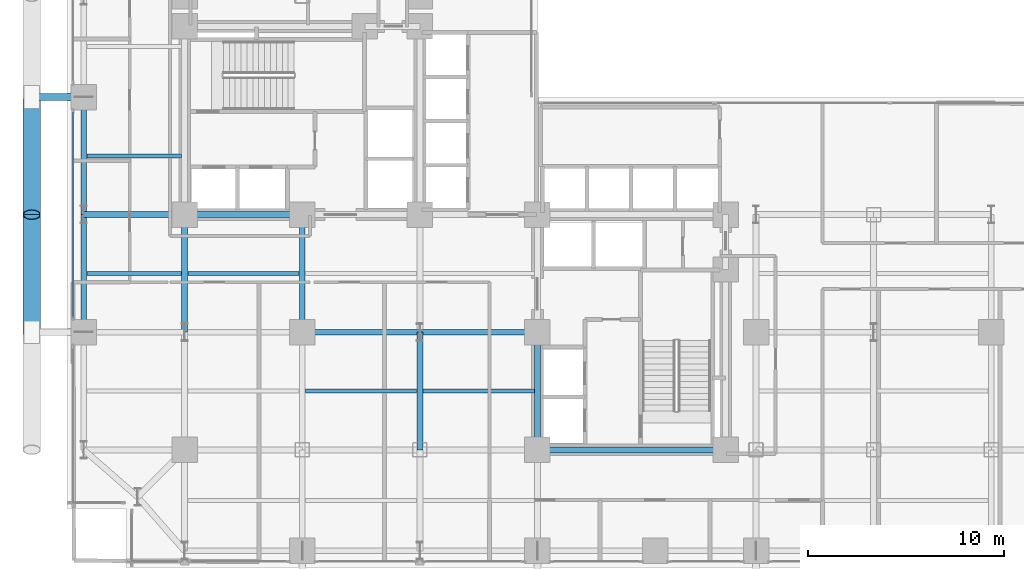
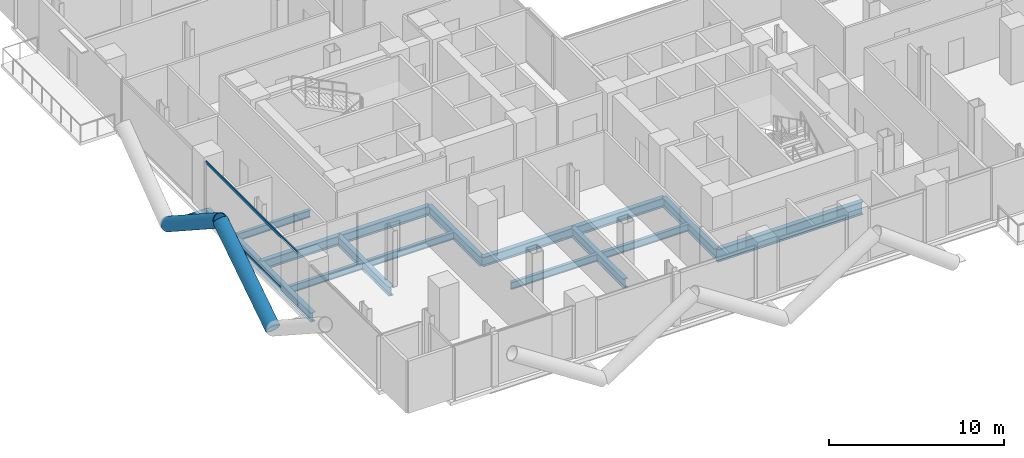
# One storey, part 4 of 27: 16 beams, 5 members, 1 element without a shape of its own.
"""IFC4 building model written with IfcOpenShell, lengths in metres."""

from ifc_helpers import new_model, si_unit, direction, frame, origin, origin_2d, place, context, subcontext, project, spatial, hollow_rectangle, hollow_circle, i_section, extrude, material, layer, layer_set, material_profile, profile_set, type_object, element, aggregate, save


model = new_model("IFC4")

# Units and contexts
model_context = context("Model", 3, precision=1e-05, world=origin(), true_north=direction((0.0, 1.0)))
body_context = subcontext(model_context, "Body", "Model", "MODEL_VIEW")
ifc_project = project(units=[si_unit("LENGTHUNIT", "METRE"), si_unit("AREAUNIT", "SQUARE_METRE"), si_unit("VOLUMEUNIT", "CUBIC_METRE"), si_unit("PLANEANGLEUNIT", "RADIAN"), si_unit("MASSUNIT", "GRAM", prefix="KILO"), si_unit("THERMODYNAMICTEMPERATUREUNIT", "KELVIN"), si_unit("POWERUNIT", "WATT")], contexts=[model_context])

# Site, building, storey
site_placement = place(None, origin())
site = spatial("IfcSite", under=ifc_project, at=site_placement, CompositionType="ELEMENT")
building_placement = place(site_placement, origin())
building = spatial("IfcBuilding", under=site, at=building_placement, Name="Svarakhadi Broadcast Tower", CompositionType="ELEMENT")
storey_placement = place(building_placement, frame((0.0, 0.0, 75.300048828125)))
storey = spatial("IfcBuildingStorey", under=building, at=storey_placement, Name="L17", CompositionType="ELEMENT", Elevation=75.300048828125)

# Beams
ifc_material_1 = material(Name="Steel S355J2 (IS 2062 E350C)", Category="steel")
ifc_material_profile_1 = material_profile(ifc_material_1, i_section(OverallWidth=0.199951171875, OverallDepth=0.5, WebThickness=0.01025390625, FlangeThickness=0.01611328125, FilletRadius=0.02099609375, at=origin_2d()), Name="NPB 500x200x91")
ifc_profile_set_1 = profile_set([ifc_material_profile_1], Name="Steel S355J2 (IS 2062 E350C)")
beam_type_1 = type_object("IfcBeamType", Name="Beam_NPB500", PredefinedType="BEAM", material=ifc_profile_set_1)
for number, where, z_axis, x_axis, name in (
    (1, (1.010009765625, 15.0, -0.5), (1.0, 0.0, 0.0), (0.0, 1.0, 0.0), "L17 Secondary Composite Beam SB002"),
    (2, (1.010009765625, 21.0, -0.5), (1.0, 0.0, 0.0), (0.0, 1.0, 0.0), "L17 Secondary Composite Beam SB003"),
):
    element("IfcBeam", number, at=place(storey_placement, frame(where, z_axis=z_axis, x_axis=x_axis)), inside=storey, type_object=beam_type_1, Name=name, PredefinedType="BEAM", context=body_context, shape_type="SweptSolid", body=[
        extrude(i_section(OverallWidth=0.199951171875, OverallDepth=0.5, WebThickness=0.01025390625, FlangeThickness=0.01611328125, FilletRadius=0.02099609375, at=origin_2d()), origin(), (0.0, 0.0, 1.0), 4.830078125),
    ])
for number, where, z_axis, x_axis, name in (
    (3, (6.159912109375, 15.0, -0.5), (1.0, 0.0, 0.0), (0.0, 1.0, 0.0), "L17 Secondary Composite Beam SB009"),
    (4, (12.159912109375, 9.0, -0.5), (1.0, 0.0, 0.0), (0.0, 1.0, 0.0), "L17 Secondary Composite Beam SB014"),
    (5, (18.159912109375, 9.0, -0.5), (1.0, 0.0, 0.0), (0.0, 1.0, 0.0), "L17 Secondary Composite Beam SB020"),
):
    element("IfcBeam", number, at=place(storey_placement, frame(where, z_axis=z_axis, x_axis=x_axis)), inside=storey, type_object=beam_type_1, Name=name, PredefinedType="BEAM", context=body_context, shape_type="SweptSolid", body=[
        extrude(i_section(OverallWidth=0.199951171875, OverallDepth=0.5, WebThickness=0.01025390625, FlangeThickness=0.01611328125, FilletRadius=0.02099609375, at=origin_2d()), origin(), (0.0, 0.0, 1.0), 5.68017578125),
    ])

# Curtain wall, members
ifc_material_2 = material(Name="Anodised Bronze Aluminium AA 6063-T6", Category="aluminium")
ifc_layer = layer(ifc_material_2, 0.219970703125)
ifc_layer_set = layer_set([ifc_layer], Name="Anodised Bronze Aluminium AA 6063-T6")
curtain_wall_type = type_object("IfcCurtainWallType", Name="CW_Sys_02", PredefinedType="NOTDEFINED", material=ifc_layer_set)
curtain_wall_placement = place(storey_placement, origin())
curtain_wall = element("IfcCurtainWall", 6, at=curtain_wall_placement, inside=storey, type_object=curtain_wall_type, Name="L17 West Curtain Wall 02 Bay 2", PredefinedType="NOTDEFINED")
ifc_material_profile_2 = material_profile(ifc_material_2, hollow_rectangle(XDim=0.074951171875, YDim=0.199951171875, WallThickness=0.0048828125, at=origin_2d()), Name="ALU TRANSOM 200x75x5")
ifc_profile_set_2 = profile_set([ifc_material_profile_2], Name="Anodised Bronze Aluminium AA 6063-T6")
member_type_1 = type_object("IfcMemberType", Name="CW_Sys_02_Trn", PredefinedType="USERDEFINED", material=ifc_profile_set_2)
member_1_placement = place(storey_placement, frame((0.300048828125, 12.7548828125, 0.037353515625), z_axis=(0.0, 1.0, 0.0), x_axis=(-1.0, 0.0, 0.0)))
member_1 = element("IfcMember", 7, at=member_1_placement, type_object=member_type_1, Name="CW-02 transom 1.1", ObjectType="TRANSOM", PredefinedType="USERDEFINED", context=body_context, shape_type="SweptSolid", body=[
    extrude(hollow_rectangle(XDim=0.074951171875, YDim=0.199951171875, WallThickness=0.0048828125, at=origin_2d()), origin(), (0.0, 0.0, 1.0), 10.490234375),
])
member_2_placement = place(storey_placement, frame((0.300048828125, 12.7548828125, 3.612548828125), z_axis=(0.0, 1.0, 0.0), x_axis=(-1.0, 0.0, 0.0)))
member_2 = element("IfcMember", 8, at=member_2_placement, type_object=member_type_1, Name="CW-02 transom 1.2", ObjectType="TRANSOM", PredefinedType="USERDEFINED", context=body_context, shape_type="SweptSolid", body=[
    extrude(hollow_rectangle(XDim=0.074951171875, YDim=0.199951171875, WallThickness=0.0048828125, at=origin_2d()), origin(), (0.0, 0.0, 1.0), 10.490234375),
])
aggregate(curtain_wall, [member_1, member_2])

# Members
ifc_material_3 = material(Name="Steel S460ML (IS 2062 E450BR)", Category="steel")
ifc_material_profile_3 = material_profile(ifc_material_3, hollow_circle(Radius=0.45703125, WallThickness=0.044921875, at=origin_2d()), Name="CHS 914x45")
ifc_profile_set_3 = profile_set([ifc_material_profile_3], Name="Steel S460ML (IS 2062 E450BR)")
member_type_2 = type_object("IfcMemberType", Name="Exo_Brace_CHS914", PredefinedType="BRACE", material=ifc_profile_set_3)
for number, where, z_axis, x_axis, name in (
    (9, (-1.800048828125, 12.0, -0.427734375), (0.0, 0.838449851971, 0.544978757136), (-1.0, 0.0, 0.0), "L17 Exposed Bronze Exoskeleton Diagonal W07"),
    (10, (-1.800048828125, 24.0, -0.427734375), (0.0, -0.838449851971, 0.544978757136), (1.0, 0.0, 0.0), "L17 Exposed Bronze Exoskeleton Diagonal W08"),
):
    element("IfcMember", number, at=place(storey_placement, frame(where, z_axis=z_axis, x_axis=x_axis)), inside=storey, type_object=member_type_2, Name=name, PredefinedType="BRACE", context=body_context, shape_type="SweptSolid", body=[
        extrude(hollow_circle(Radius=0.45703125, WallThickness=0.044921875, at=origin_2d()), origin(), (0.0, 0.0, 1.0), 7.156005859375),
    ])
ifc_material_profile_4 = material_profile(ifc_material_3, hollow_circle(Radius=0.177734375, WallThickness=0.02001953125, at=origin_2d()), Name="CHS 355.6x20")
ifc_profile_set_4 = profile_set([ifc_material_profile_4], Name="Steel S460ML (IS 2062 E450BR)")
member_type_3 = type_object("IfcMemberType", Name="Exo_Radial_Strut_Z1", PredefinedType="STRUT", material=ifc_profile_set_4)
member_3_placement = place(storey_placement, frame((-1.800048828125, 24.0, -0.427734375), z_axis=(1.0, 0.0, 0.0), x_axis=(0.0, 1.0, 0.0)))
element("IfcMember", 11, at=member_3_placement, inside=storey, type_object=member_type_3, Name="L17 Exoskeleton Radial Tie Strut W05", PredefinedType="STRUT", context=body_context, shape_type="SweptSolid", body=[
    extrude(hollow_circle(Radius=0.177734375, WallThickness=0.02001953125, at=origin_2d()), origin(), (0.0, 0.0, 1.0), 2.650146484375),
])

# Beams
ifc_material_profile_5 = material_profile(ifc_material_1, i_section(OverallWidth=0.300048828125, OverallDepth=0.64990234375, WebThickness=0.01611328125, FlangeThickness=0.031005859375, FilletRadius=0.027099609375, at=origin_2d()), Name="WPB 650x300x225")
ifc_profile_set_5 = profile_set([ifc_material_profile_5], Name="Steel S355J2 (IS 2062 E350C)")
beam_type_2 = type_object("IfcBeamType", Name="Girder_WPB650", PredefinedType="USERDEFINED", material=ifc_profile_set_5)
for number, where, z_axis, x_axis, name in (
    (12, (12.0, 12.0, -0.574951171875), (1.0, 0.0, 0.0), (0.0, 1.0, 0.0), "L17 Primary E-W Girder G021"),
    (13, (18.0, 12.0, -0.574951171875), (1.0, 0.0, 0.0), (0.0, 1.0, 0.0), "L17 Primary E-W Girder G022"),
):
    element("IfcBeam", number, at=place(storey_placement, frame(where, z_axis=z_axis, x_axis=x_axis)), inside=storey, type_object=beam_type_2, Name=name, ObjectType="GIRDER", PredefinedType="USERDEFINED", context=body_context, shape_type="SweptSolid", body=[
        extrude(i_section(OverallWidth=0.300048828125, OverallDepth=0.64990234375, WebThickness=0.01611328125, FlangeThickness=0.031005859375, FilletRadius=0.027099609375, at=origin_2d()), origin(), (0.0, 0.0, 1.0), 6.0),
    ])
beam_1_placement = place(storey_placement, frame((0.85009765625, 18.0, -0.574951171875), z_axis=(1.0, 0.0, 0.0), x_axis=(0.0, 1.0, 0.0)))
element("IfcBeam", 14, at=beam_1_placement, inside=storey, type_object=beam_type_2, Name="L17 Primary E-W Girder G025", ObjectType="GIRDER", PredefinedType="USERDEFINED", context=body_context, shape_type="SweptSolid", body=[
    extrude(i_section(OverallWidth=0.300048828125, OverallDepth=0.64990234375, WebThickness=0.01611328125, FlangeThickness=0.031005859375, FilletRadius=0.027099609375, at=origin_2d()), origin(), (0.0, 0.0, 1.0), 5.14990234375),
])
for number, where, z_axis, x_axis, name in (
    (15, (6.0, 18.0, -0.574951171875), (1.0, 0.0, 0.0), (0.0, 1.0, 0.0), "L17 Primary E-W Girder G026"),
    (16, (0.85009765625, 12.0, -0.574951171875), (0.0, 1.0, 0.0), (-1.0, 0.0, 0.0), "L17 Primary N-S Girder G046"),
    (17, (0.85009765625, 18.0, -0.574951171875), (0.0, 1.0, 0.0), (-1.0, 0.0, 0.0), "L17 Primary N-S Girder G047"),
    (18, (6.0, 12.0, -0.574951171875), (0.0, 1.0, 0.0), (-1.0, 0.0, 0.0), "L17 Primary N-S Girder G053"),
    (19, (12.0, 12.0, -0.574951171875), (0.0, 1.0, 0.0), (-1.0, 0.0, 0.0), "L17 Primary N-S Girder G060"),
    (20, (18.0, 6.0, -0.574951171875), (0.0, 1.0, 0.0), (-1.0, 0.0, 0.0), "L17 Primary N-S Girder G065"),
    (21, (24.0, 6.0, -0.574951171875), (0.0, 1.0, 0.0), (-1.0, 0.0, 0.0), "L17 Primary N-S Girder G072"),
):
    element("IfcBeam", number, at=place(storey_placement, frame(where, z_axis=z_axis, x_axis=x_axis)), inside=storey, type_object=beam_type_2, Name=name, ObjectType="GIRDER", PredefinedType="USERDEFINED", context=body_context, shape_type="SweptSolid", body=[
        extrude(i_section(OverallWidth=0.300048828125, OverallDepth=0.64990234375, WebThickness=0.01611328125, FlangeThickness=0.031005859375, FilletRadius=0.027099609375, at=origin_2d()), origin(), (0.0, 0.0, 1.0), 6.0),
    ])
ifc_material_profile_6 = material_profile(ifc_material_3, i_section(OverallWidth=0.300048828125, OverallDepth=0.89990234375, WebThickness=0.0185546875, FlangeThickness=0.034912109375, FilletRadius=0.030029296875, at=origin_2d()), Name="WPB 900x300x291")
ifc_profile_set_6 = profile_set([ifc_material_profile_6], Name="Steel S460ML (IS 2062 E450BR)")
beam_type_3 = type_object("IfcBeamType", Name="Girder_WPB900", PredefinedType="USERDEFINED", material=ifc_profile_set_6)
beam_2_placement = place(storey_placement, frame((24.0, 6.0, -0.699951171875), z_axis=(1.0, 0.0, 0.0), x_axis=(0.0, 1.0, 0.0)))
element("IfcBeam", 22, at=beam_2_placement, inside=storey, type_object=beam_type_3, Name="L17 Primary E-W Girder G015", ObjectType="GIRDER", PredefinedType="USERDEFINED", context=body_context, shape_type="SweptSolid", body=[
    extrude(i_section(OverallWidth=0.300048828125, OverallDepth=0.89990234375, WebThickness=0.0185546875, FlangeThickness=0.034912109375, FilletRadius=0.030029296875, at=origin_2d()), origin(), (0.0, 0.0, 1.0), 9.60009765625),
])

save(model, "model.ifc")
